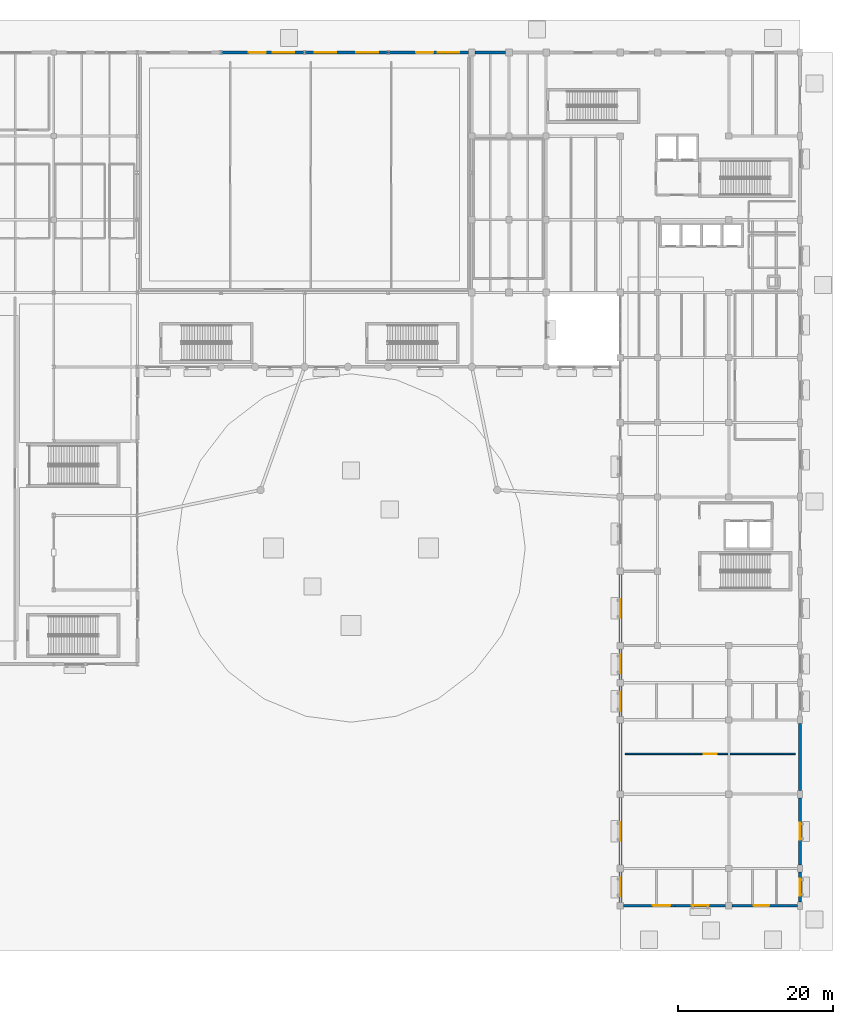
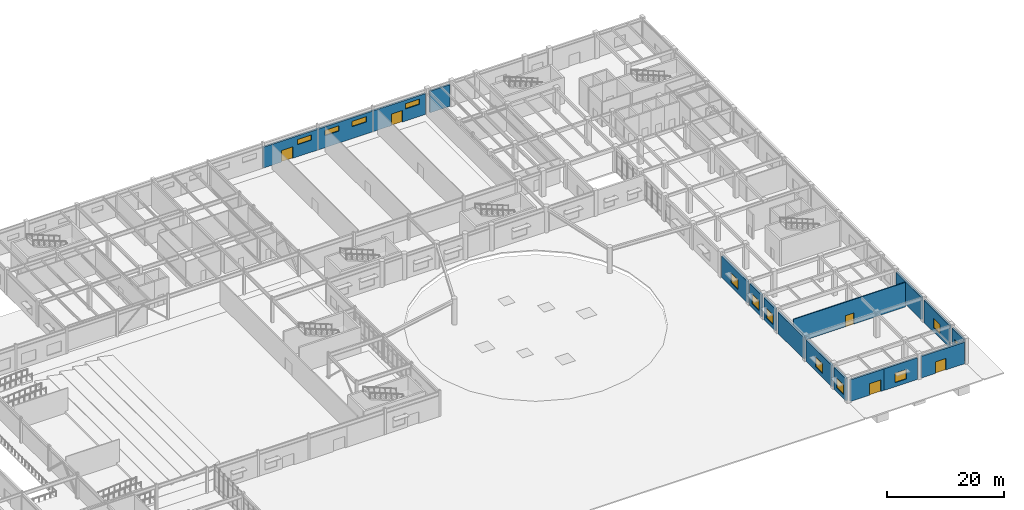
# One storey, part 33 of 54: 17 walls, 12 windows, 5 doors, 17 openings.
"""IFC4 building model written with IfcOpenShell, lengths in metres."""

import ifcopenshell
import ifcopenshell.guid

model = None  # the IFC model being written
_history = None  # IfcOwnerHistory: only IFC2X3 demands one
_inside = {}  # id of a spatial element -> (the spatial element, [elements in it])
_under = {}  # id of a project, library or spatial element -> (it, [spatial elements below it])
_declared = {}  # id of a project -> (the project, [libraries it declares])
_typed = {}  # id of a type object -> (the type object, [elements of that type])
_made_of = {}  # id of a material, layer set ... -> (it, [elements and type objects made of it])


def new_model(schema):
    """Start an empty IFC model of exactly this schema.

    Asked for "IFC4X3", IfcOpenShell would pick the latest addendum, in which some entities
    have other attributes; the version numbers below select the first issue.
    IFC2X3 requires an IfcOwnerHistory on every rooted entity: one is made here for all.
    """
    global model, _history
    if schema == "IFC4X3":
        model = ifcopenshell.file(schema_version=(4, 3, 0, 0))
    else:
        model = ifcopenshell.file(schema=schema)
    _inside.clear()
    _under.clear()
    _declared.clear()
    _typed.clear()
    _made_of.clear()
    _history = None
    if model.schema == "IFC2X3":
        org = make("IfcOrganization", Name="unknown")
        user = make(
            "IfcPersonAndOrganization",
            ThePerson=make("IfcPerson", FamilyName="unknown"),
            TheOrganization=org,
        )
        app = make(
            "IfcApplication",
            ApplicationDeveloper=org,
            Version="unknown",
            ApplicationFullName="unknown",
            ApplicationIdentifier="unknown",
        )
        _history = make(
            "IfcOwnerHistory",
            OwningUser=user,
            OwningApplication=app,
            ChangeAction="ADDED",
            CreationDate=0,
        )
    return model


def make(cls, **values):
    """One entity of the class cls with the attributes given. An attribute that is None is left unset."""
    return model.create_entity(
        cls, **{name: value for name, value in values.items() if value is not None}
    )


def rooted(cls, **values):
    """An entity with a GlobalId (a new one), such as an element, a storey or a relation."""
    return make(cls, GlobalId=ifcopenshell.guid.new(), OwnerHistory=_history, **values)


def si_unit(unit_type, name, prefix=None):
    """IfcSIUnit, for example si_unit("LENGTHUNIT", "METRE", prefix="MILLI")."""
    return make("IfcSIUnit", UnitType=unit_type, Prefix=prefix, Name=name)


def assignment(units):
    """IfcUnitAssignment: the units of a project."""
    return None if units is None else make("IfcUnitAssignment", Units=units)


def point(xyz):
    """IfcCartesianPoint."""
    return None if xyz is None else make("IfcCartesianPoint", Coordinates=xyz)


def direction(xyz):
    """IfcDirection."""
    return None if xyz is None else make("IfcDirection", DirectionRatios=xyz)


def frame(location, z_axis=None, x_axis=None):
    """IfcAxis2Placement3D, a coordinate frame: its origin and axes. An axis left out is left unset."""
    return make(
        "IfcAxis2Placement3D",
        Location=point(location),
        Axis=direction(z_axis),
        RefDirection=direction(x_axis),
    )


def frame_2d(location, x_axis=None):
    """IfcAxis2Placement2D, a coordinate frame in the plane: its origin and x axis."""
    return make(
        "IfcAxis2Placement2D", Location=point(location), RefDirection=direction(x_axis)
    )


def origin():
    """The frame at (0, 0, 0) with its axes left unset."""
    return frame((0.0, 0.0, 0.0))


def place(relative_to, where):
    """IfcLocalPlacement: puts the frame where relative to a parent placement (None: the world)."""
    return make(
        "IfcLocalPlacement", PlacementRelTo=relative_to, RelativePlacement=where
    )


def context(
    kind, dimensions, precision=None, world=None, true_north=None, identifier=None
):
    """IfcGeometricRepresentationContext, for example the 3D "Model" context."""
    return make(
        "IfcGeometricRepresentationContext",
        ContextIdentifier=identifier,
        ContextType=kind,
        CoordinateSpaceDimension=dimensions,
        Precision=precision,
        WorldCoordinateSystem=world,
        TrueNorth=true_north,
    )


def subcontext(parent, identifier, kind, view, scale=None):
    """IfcGeometricRepresentationSubContext, for example "Body" below "Model"."""
    return make(
        "IfcGeometricRepresentationSubContext",
        ContextIdentifier=identifier,
        ContextType=kind,
        ParentContext=parent,
        TargetScale=scale,
        TargetView=view,
    )


def project(units=None, contexts=None):
    """IfcProject with its units and contexts."""
    return rooted(
        "IfcProject",
        Name="project",
        RepresentationContexts=contexts,
        UnitsInContext=assignment(units),
    )


def spatial(cls, under=None, at=None, **own):
    """A site, building, storey or space (cls), placed at a placement, below another one or the project."""
    s = rooted(cls, ObjectPlacement=at, **own)
    if under is not None:
        _under.setdefault(under.id(), (under, []))[1].append(s)
    return s


def profile(cls, at=None, kind="AREA", **sizes):
    """A parametric profile (cls). Its sizes go by their IFC names, for example OverallWidth=200.0."""
    return make(cls, ProfileType=kind, Position=at, **sizes)


def rectangle(**sizes):
    """IfcRectangleProfileDef."""
    return profile("IfcRectangleProfileDef", **sizes)


def extrude(swept, where, along, depth):
    """IfcExtrudedAreaSolid: the profile swept, set in the frame where, extruded along a direction by depth."""
    return make(
        "IfcExtrudedAreaSolid",
        SweptArea=swept,
        Position=where,
        ExtrudedDirection=direction(along),
        Depth=depth,
    )


def shape(context_of_items, identifier, shape_type, items):
    """IfcShapeRepresentation: the items that make up one representation, for example the "Body"."""
    return make(
        "IfcShapeRepresentation",
        ContextOfItems=context_of_items,
        RepresentationIdentifier=identifier,
        RepresentationType=shape_type,
        Items=items,
    )


def material(Name=None, Category=None):
    """IfcMaterial."""
    return make("IfcMaterial", Name=Name, Category=Category)


def layer(
    of_material, thickness, ventilated=None, Name=None, Category=None, Priority=None
):
    """IfcMaterialLayer: one layer of a wall or slab, of a material (None: an air gap)."""
    return make(
        "IfcMaterialLayer",
        Material=of_material,
        LayerThickness=thickness,
        IsVentilated=ventilated,
        Name=Name,
        Category=Category,
        Priority=Priority,
    )


def layer_set(layers, Name=None):
    """IfcMaterialLayerSet."""
    return make("IfcMaterialLayerSet", MaterialLayers=layers, LayerSetName=Name)


def made_of(thing, what):
    """Note that an element or type object is made of a material, layer set ...; save() writes the relation."""
    if what is not None:
        _made_of.setdefault(what.id(), (what, []))[1].append(thing)
    return thing


def type_object(cls, material=None, **own):
    """A type object (cls), such as IfcWallType, which elements share."""
    return made_of(rooted(cls, **own), material)


def element(
    cls,
    number,
    at=None,
    inside=None,
    cuts=None,
    type_object=None,
    material=None,
    context=None,
    identifier="Body",
    shape_type=None,
    held_by="IfcProductDefinitionShape",
    body=None,
    shapes=None,
    **own,
):
    """One element of the class cls, such as IfcWall. Its Tag is "e" and its number.

    at: its placement. inside: the storey or other place that contains it. cuts: it is an
    opening in that element (IfcRelVoidsElement). A single representation is given by context,
    identifier, shape_type and body (its items); several are given by shapes. held_by: the class
    of the entity that holds the representations. save() writes the other relations.
    """
    e = rooted(cls, Tag="e%d" % number, ObjectPlacement=at, **own)
    if body is not None:
        shapes = [shape(context, identifier, shape_type, body)]
    if shapes is not None:
        e.Representation = make(held_by, Representations=shapes)
    if inside is not None:
        _inside.setdefault(inside.id(), (inside, []))[1].append(e)
    if cuts is not None:
        rooted(
            "IfcRelVoidsElement", RelatingBuildingElement=cuts, RelatedOpeningElement=e
        )
    if type_object is not None:
        _typed.setdefault(type_object.id(), (type_object, []))[1].append(e)
    return made_of(e, material)


def fill(opening, filler):
    """IfcRelFillsElement: the door or window that sits in an opening."""
    return rooted(
        "IfcRelFillsElement",
        RelatingOpeningElement=opening,
        RelatedBuildingElement=filler,
    )


def aggregate(whole, parts):
    """IfcRelAggregates: a whole, such as a stair, and the parts it consists of."""
    return rooted("IfcRelAggregates", RelatingObject=whole, RelatedObjects=parts)


def save(model, path):
    """Write the relations noted so far, then the file.

    IfcRelAggregates (storeys below a building ...), IfcRelContainedInSpatialStructure (elements
    in a storey), IfcRelDefinesByType, IfcRelAssociatesMaterial and IfcRelDeclares: one each for
    every whole, place, type object, material and project.
    """
    for whole, parts in _under.values():
        aggregate(whole, parts)
    for where, things in _inside.values():
        rooted(
            "IfcRelContainedInSpatialStructure",
            RelatedElements=things,
            RelatingStructure=where,
        )
    for kind, things in _typed.values():
        rooted("IfcRelDefinesByType", RelatedObjects=things, RelatingType=kind)
    for what, things in _made_of.values():
        rooted("IfcRelAssociatesMaterial", RelatedObjects=things, RelatingMaterial=what)
    for by, libraries in _declared.values():
        rooted("IfcRelDeclares", RelatingContext=by, RelatedDefinitions=libraries)
    model.write(path)


model = new_model("IFC4")

# Units and contexts
model_context = context("Model", 3, precision=1e-05, world=origin(), true_north=direction((0.0, 1.0)))
body_context = subcontext(model_context, "Body", "Model", "MODEL_VIEW")
ifc_project = project(units=[si_unit("LENGTHUNIT", "METRE"), si_unit("AREAUNIT", "SQUARE_METRE"), si_unit("VOLUMEUNIT", "CUBIC_METRE"), si_unit("PLANEANGLEUNIT", "RADIAN"), si_unit("MASSUNIT", "GRAM", prefix="KILO")], contexts=[model_context])

# Site, building, storey
site_placement = place(None, origin())
site = spatial("IfcSite", under=ifc_project, at=site_placement, CompositionType="ELEMENT")
building_placement = place(site_placement, origin())
building = spatial("IfcBuilding", under=site, at=building_placement, Name="Veldera Park Congress Hotel", CompositionType="ELEMENT")
storey_placement = place(building_placement, origin())
storey = spatial("IfcBuildingStorey", under=building, at=storey_placement, Name="L00", CompositionType="ELEMENT", Elevation=0.0)

# Wall
ifc_material_1 = material(Name="Architectural Sandstone Cladding (ASTM C616)", Category="masonry")
ifc_layer_1 = layer(ifc_material_1, 0.360107421875)
ifc_layer_set_1 = layer_set([ifc_layer_1], Name="Architectural Sandstone Cladding (ASTM C616)")
wall_type_1 = type_object("IfcWallType", Name="EW-STONE360", PredefinedType="STANDARD", material=ifc_layer_set_1)
wall_1_placement = place(storey_placement, frame((45.97705078125, 58.0, 0.0), z_axis=(0.0, 0.0, 1.0), x_axis=(-1.0, 0.0, 0.0)))
element("IfcWall", 1, at=wall_1_placement, inside=storey, type_object=wall_type_1, Name="L00 Exterior Wall EW3-L00-0025", PredefinedType="STANDARD", context=body_context, shape_type="SweptSolid", body=[
    extrude(rectangle(XDim=3.9541015625, YDim=0.360107421875, at=frame_2d((1.97705078125, 0.0))), origin(), (0.0, 0.0, 1.0), 4.5029296875),
])

# Wall, openings, door, window
wall_2_placement = place(storey_placement, frame((41.177001953125, 58.0, 0.0), z_axis=(0.0, 0.0, 1.0), x_axis=(-1.0, 0.0, 0.0)))
wall_2 = element("IfcWall", 2, at=wall_2_placement, inside=storey, type_object=wall_type_1, Name="L00 Exterior Wall EW3-L00-0026", PredefinedType="STANDARD", context=body_context, shape_type="SweptSolid", body=[
    extrude(rectangle(XDim=10.36767578125, YDim=0.360107421875, at=frame_2d((5.183837890625, 0.0))), origin(), (0.0, 0.0, 1.0), 4.3359375),
])
opening_1_placement = place(wall_2_placement, frame((4.576904296875, 0.0, 0.0)))
opening_1 = element("IfcOpeningElement", 3, at=opening_1_placement, cuts=wall_2, Name="Opening ED-EXIT220", PredefinedType="OPENING", context=body_context, shape_type="SweptSolid", body=[
    extrude(rectangle(XDim=2.199951171875, YDim=2.39990234375, at=frame_2d((1.10009765625, 1.199951171875))), frame((0.0, 0.192138671875, 0.0), z_axis=(0.0, -1.0, 0.0), x_axis=(1.0, 0.0, 0.0)), (0.0, 0.0, 1.0), 0.384033203125),
])
opening_2_placement = place(wall_2_placement, frame((1.19189453125, 0.0, 2.5)))
opening_2 = element("IfcOpeningElement", 4, at=opening_2_placement, cuts=wall_2, Name="Opening WIN-CLR", PredefinedType="OPENING", context=body_context, shape_type="SweptSolid", body=[
    extrude(rectangle(XDim=2.800048828125, YDim=1.10009765625, at=frame_2d((1.39990234375, 0.550048828125))), frame((0.0, 0.192138671875, 0.0), z_axis=(0.0, -1.0, 0.0), x_axis=(1.0, 0.0, 0.0)), (0.0, 0.0, 1.0), 0.384033203125),
])
ifc_material_2 = material(Name="Anodised Aluminium Alloy 6063-T6", Category="aluminium")
door_type_1 = type_object("IfcDoorType", Name="ED-EXIT220", OperationType="DOUBLE_DOOR_SINGLE_SWING", PredefinedType="DOOR", material=ifc_material_2)
door_1_placement = place(opening_1_placement, frame((2.199951171875, 0.0, 0.0), z_axis=(0.0, 0.0, 1.0), x_axis=(-1.0, 0.0, 0.0)))
door_1 = element("IfcDoor", 5, at=door_1_placement, inside=storey, type_object=door_type_1, Name="Exterior Door ED-10 (DR3-EXT-L00-0013)", OperationType="DOUBLE_DOOR_SINGLE_SWING", OverallHeight=2.39990234375, OverallWidth=2.199951171875, PredefinedType="DOOR", context=body_context, shape_type="SweptSolid", body=[
    extrude(rectangle(XDim=2.199951171875, YDim=2.39990234375, at=frame_2d((1.10009765625, 1.199951171875))), frame((0.0, 0.02490234375, 0.0), z_axis=(0.0, -1.0, 0.0), x_axis=(1.0, 0.0, 0.0)), (0.0, 0.0, 1.0), 0.050048828125),
])
fill(opening_1, door_1)
ifc_material_3 = material(Name="Low-E Triple Insulating Glass Unit (SHGC 0.22)", Category="glass")
window_type_1 = type_object("IfcWindowType", Name="WIN-CLR", PartitioningType="SINGLE_PANEL", PredefinedType="LIGHTDOME", material=ifc_material_3)
window_1_placement = place(opening_2_placement, origin())
window_1 = element("IfcWindow", 6, at=window_1_placement, inside=storey, type_object=window_type_1, Name="L00 Window WIN-CLR 24", OverallHeight=1.10009765625, OverallWidth=2.800048828125, PartitioningType="SINGLE_PANEL", PredefinedType="LIGHTDOME", context=body_context, shape_type="SweptSolid", body=[
    extrude(rectangle(XDim=2.800048828125, YDim=1.10009765625, at=frame_2d((1.39990234375, 0.550048828125))), frame((0.0, 0.030029296875, 0.0), z_axis=(0.0, -1.0, 0.0), x_axis=(1.0, 0.0, 0.0)), (0.0, 0.0, 1.0), 0.06005859375),
])
fill(opening_2, window_1)

# Wall, openings, windows
wall_3_placement = place(storey_placement, frame((30.790771484375, 58.0, 0.0), z_axis=(0.0, 0.0, 1.0), x_axis=(-1.0, 0.0, 0.0)))
wall_3 = element("IfcWall", 7, at=wall_3_placement, inside=storey, type_object=wall_type_1, Name="L00 Exterior Wall EW3-L00-0027", PredefinedType="STANDARD", context=body_context, shape_type="SweptSolid", body=[
    extrude(rectangle(XDim=10.781494140625, YDim=0.360107421875, at=frame_2d((5.390625, 0.0))), origin(), (0.0, 0.0, 1.0), 4.3359375),
])
opening_3_placement = place(wall_3_placement, frame((1.29541015625, 0.0, 2.5)))
opening_3 = element("IfcOpeningElement", 8, at=opening_3_placement, cuts=wall_3, Name="Opening WIN-CLR", PredefinedType="OPENING", context=body_context, shape_type="SweptSolid", body=[
    extrude(rectangle(XDim=2.800048828125, YDim=1.10009765625, at=frame_2d((1.39990234375, 0.550048828125))), frame((0.0, 0.192138671875, 0.0), z_axis=(0.0, -1.0, 0.0), x_axis=(1.0, 0.0, 0.0)), (0.0, 0.0, 1.0), 0.384033203125),
])
opening_4_placement = place(wall_3_placement, frame((6.68603515625, 0.0, 2.5)))
opening_4 = element("IfcOpeningElement", 9, at=opening_4_placement, cuts=wall_3, Name="Opening WIN-CLR", PredefinedType="OPENING", context=body_context, shape_type="SweptSolid", body=[
    extrude(rectangle(XDim=2.800048828125, YDim=1.10009765625, at=frame_2d((1.39990234375, 0.550048828125))), frame((0.0, 0.192138671875, 0.0), z_axis=(0.0, -1.0, 0.0), x_axis=(1.0, 0.0, 0.0)), (0.0, 0.0, 1.0), 0.384033203125),
])
window_2_placement = place(opening_3_placement, origin())
window_2 = element("IfcWindow", 10, at=window_2_placement, inside=storey, type_object=window_type_1, Name="L00 Window WIN-CLR 25", OverallHeight=1.10009765625, OverallWidth=2.800048828125, PartitioningType="SINGLE_PANEL", PredefinedType="LIGHTDOME", context=body_context, shape_type="SweptSolid", body=[
    extrude(rectangle(XDim=2.800048828125, YDim=1.10009765625, at=frame_2d((1.39990234375, 0.550048828125))), frame((0.0, 0.030029296875, 0.0), z_axis=(0.0, -1.0, 0.0), x_axis=(1.0, 0.0, 0.0)), (0.0, 0.0, 1.0), 0.06005859375),
])
fill(opening_3, window_2)
window_3_placement = place(opening_4_placement, origin())
window_3 = element("IfcWindow", 11, at=window_3_placement, inside=storey, type_object=window_type_1, Name="L00 Window WIN-CLR 26", OverallHeight=1.10009765625, OverallWidth=2.800048828125, PartitioningType="SINGLE_PANEL", PredefinedType="LIGHTDOME", context=body_context, shape_type="SweptSolid", body=[
    extrude(rectangle(XDim=2.800048828125, YDim=1.10009765625, at=frame_2d((1.39990234375, 0.550048828125))), frame((0.0, 0.030029296875, 0.0), z_axis=(0.0, -1.0, 0.0), x_axis=(1.0, 0.0, 0.0)), (0.0, 0.0, 1.0), 0.06005859375),
])
fill(opening_4, window_3)

# Wall, openings, door, window
wall_4_placement = place(storey_placement, frame((19.99072265625, 58.0, 0.0), z_axis=(0.0, 0.0, 1.0), x_axis=(-1.0, 0.0, 0.0)))
wall_4 = element("IfcWall", 12, at=wall_4_placement, inside=storey, type_object=wall_type_1, Name="L00 Exterior Wall EW3-L00-0028", PredefinedType="STANDARD", context=body_context, shape_type="SweptSolid", body=[
    extrude(rectangle(XDim=10.781494140625, YDim=0.360107421875, at=frame_2d((5.390625, 0.0))), origin(), (0.0, 0.0, 1.0), 4.3359375),
])
opening_5_placement = place(wall_4_placement, frame((4.99072265625, 0.0, 0.0)))
opening_5 = element("IfcOpeningElement", 13, at=opening_5_placement, cuts=wall_4, Name="Opening ED-EXIT220", PredefinedType="OPENING", context=body_context, shape_type="SweptSolid", body=[
    extrude(rectangle(XDim=2.199951171875, YDim=2.39990234375, at=frame_2d((1.10009765625, 1.199951171875))), frame((0.0, 0.192138671875, 0.0), z_axis=(0.0, -1.0, 0.0), x_axis=(1.0, 0.0, 0.0)), (0.0, 0.0, 1.0), 0.384033203125),
])
opening_6_placement = place(wall_4_placement, frame((1.29541015625, 0.0, 2.5)))
opening_6 = element("IfcOpeningElement", 14, at=opening_6_placement, cuts=wall_4, Name="Opening WIN-CLR", PredefinedType="OPENING", context=body_context, shape_type="SweptSolid", body=[
    extrude(rectangle(XDim=2.800048828125, YDim=1.10009765625, at=frame_2d((1.39990234375, 0.550048828125))), frame((0.0, 0.192138671875, 0.0), z_axis=(0.0, -1.0, 0.0), x_axis=(1.0, 0.0, 0.0)), (0.0, 0.0, 1.0), 0.384033203125),
])
door_2_placement = place(opening_5_placement, frame((2.199951171875, 0.0, 0.0), z_axis=(0.0, 0.0, 1.0), x_axis=(-1.0, 0.0, 0.0)))
door_2 = element("IfcDoor", 15, at=door_2_placement, inside=storey, type_object=door_type_1, Name="Exterior Door ED-11 (DR3-EXT-L00-0014)", OperationType="DOUBLE_DOOR_SINGLE_SWING", OverallHeight=2.39990234375, OverallWidth=2.199951171875, PredefinedType="DOOR", context=body_context, shape_type="SweptSolid", body=[
    extrude(rectangle(XDim=2.199951171875, YDim=2.39990234375, at=frame_2d((1.10009765625, 1.199951171875))), frame((0.0, 0.02490234375, 0.0), z_axis=(0.0, -1.0, 0.0), x_axis=(1.0, 0.0, 0.0)), (0.0, 0.0, 1.0), 0.050048828125),
])
fill(opening_5, door_2)
window_4_placement = place(opening_6_placement, origin())
window_4 = element("IfcWindow", 16, at=window_4_placement, inside=storey, type_object=window_type_1, Name="L00 Window WIN-CLR 27", OverallHeight=1.10009765625, OverallWidth=2.800048828125, PartitioningType="SINGLE_PANEL", PredefinedType="LIGHTDOME", context=body_context, shape_type="SweptSolid", body=[
    extrude(rectangle(XDim=2.800048828125, YDim=1.10009765625, at=frame_2d((1.39990234375, 0.550048828125))), frame((0.0, 0.030029296875, 0.0), z_axis=(0.0, -1.0, 0.0), x_axis=(1.0, 0.0, 0.0)), (0.0, 0.0, 1.0), 0.06005859375),
])
fill(opening_6, window_4)

# Wall, opening, door
wall_5_placement = place(storey_placement, frame((61.222900390625, -52.199951171875, 0.0), z_axis=(0.0, 0.0, 1.0), x_axis=(1.0, 0.0, 0.0)))
wall_5 = element("IfcWall", 17, at=wall_5_placement, inside=storey, type_object=wall_type_1, Name="L00 Exterior Wall EW3-L00-0112", PredefinedType="STANDARD", context=body_context, shape_type="SweptSolid", body=[
    extrude(rectangle(XDim=6.591552734375, YDim=0.360107421875, at=frame_2d((3.2958984375, 0.0))), origin(), (0.0, 0.0, 1.0), 4.5029296875),
])
opening_7_placement = place(wall_5_placement, frame((3.777099609375, 0.0, 0.0)))
opening_7 = element("IfcOpeningElement", 18, at=opening_7_placement, cuts=wall_5, Name="Opening ED-EXIT220", PredefinedType="OPENING", context=body_context, shape_type="SweptSolid", body=[
    extrude(rectangle(XDim=2.199951171875, YDim=2.39990234375, at=frame_2d((1.10009765625, 1.199951171875))), frame((0.0, 0.192138671875, 0.0), z_axis=(0.0, -1.0, 0.0), x_axis=(1.0, 0.0, 0.0)), (0.0, 0.0, 1.0), 0.384033203125),
])
door_3_placement = place(opening_7_placement, frame((2.199951171875, 0.0, 0.0), z_axis=(0.0, 0.0, 1.0), x_axis=(-1.0, 0.0, 0.0)))
door_3 = element("IfcDoor", 19, at=door_3_placement, inside=storey, type_object=door_type_1, Name="Exterior Door ED-16 (DR3-EXT-L00-0019)", OperationType="DOUBLE_DOOR_SINGLE_SWING", OverallHeight=2.39990234375, OverallWidth=2.199951171875, PredefinedType="DOOR", context=body_context, shape_type="SweptSolid", body=[
    extrude(rectangle(XDim=2.199951171875, YDim=2.39990234375, at=frame_2d((1.10009765625, 1.199951171875))), frame((0.0, 0.02490234375, 0.0), z_axis=(0.0, -1.0, 0.0), x_axis=(1.0, 0.0, 0.0)), (0.0, 0.0, 1.0), 0.050048828125),
])
fill(opening_7, door_3)

# Wall, opening, window
wall_6_placement = place(storey_placement, frame((67.810546875, -52.199951171875, 0.0), z_axis=(0.0, 0.0, 1.0), x_axis=(1.0, 0.0, 0.0)))
wall_6 = element("IfcWall", 20, at=wall_6_placement, inside=storey, type_object=wall_type_1, Name="L00 Exterior Wall EW3-L00-0113", PredefinedType="STANDARD", context=body_context, shape_type="SweptSolid", body=[
    extrude(rectangle(XDim=6.591552734375, YDim=0.360107421875, at=frame_2d((3.2958984375, 0.0))), origin(), (0.0, 0.0, 1.0), 4.5029296875),
])
opening_8_placement = place(wall_6_placement, frame((2.19580078125, 0.0, 0.85009765625)))
opening_8 = element("IfcOpeningElement", 21, at=opening_8_placement, cuts=wall_6, Name="Opening WIN-2200", PredefinedType="OPENING", context=body_context, shape_type="SweptSolid", body=[
    extrude(rectangle(XDim=2.199951171875, YDim=2.0, at=frame_2d((1.10009765625, 1.0))), frame((0.0, 0.192138671875, 0.0), z_axis=(0.0, -1.0, 0.0), x_axis=(1.0, 0.0, 0.0)), (0.0, 0.0, 1.0), 0.384033203125),
])
window_type_2 = type_object("IfcWindowType", Name="WIN-2200", PartitioningType="DOUBLE_PANEL_VERTICAL", PredefinedType="WINDOW", material=ifc_material_3)
window_5_placement = place(opening_8_placement, origin())
window_5 = element("IfcWindow", 22, at=window_5_placement, inside=storey, type_object=window_type_2, Name="L00 Window WIN-2200 125", OverallHeight=2.0, OverallWidth=2.199951171875, PartitioningType="DOUBLE_PANEL_VERTICAL", PredefinedType="WINDOW", context=body_context, shape_type="SweptSolid", body=[
    extrude(rectangle(XDim=2.199951171875, YDim=2.0, at=frame_2d((1.10009765625, 1.0))), frame((0.0, 0.030029296875, 0.0), z_axis=(0.0, -1.0, 0.0), x_axis=(1.0, 0.0, 0.0)), (0.0, 0.0, 1.0), 0.06005859375),
])
fill(opening_8, window_5)

# Wall, opening, door
wall_7_placement = place(storey_placement, frame((75.197998046875, -52.199951171875, 0.0), z_axis=(0.0, 0.0, 1.0), x_axis=(1.0, 0.0, 0.0)))
wall_7 = element("IfcWall", 23, at=wall_7_placement, inside=storey, type_object=wall_type_1, Name="L00 Exterior Wall EW3-L00-0114", PredefinedType="STANDARD", context=body_context, shape_type="SweptSolid", body=[
    extrude(rectangle(XDim=8.47900390625, YDim=0.360107421875, at=frame_2d((4.239501953125, 0.0))), origin(), (0.0, 0.0, 1.0), 4.5029296875),
])
opening_9_placement = place(wall_7_placement, frame((2.802001953125, 0.0, 0.0)))
opening_9 = element("IfcOpeningElement", 24, at=opening_9_placement, cuts=wall_7, Name="Opening ED-DBL200", PredefinedType="OPENING", context=body_context, shape_type="SweptSolid", body=[
    extrude(rectangle(XDim=2.0, YDim=2.39990234375, at=frame_2d((1.0, 1.199951171875))), frame((0.0, 0.192138671875, 0.0), z_axis=(0.0, -1.0, 0.0), x_axis=(1.0, 0.0, 0.0)), (0.0, 0.0, 1.0), 0.384033203125),
])
door_type_2 = type_object("IfcDoorType", Name="ED-DBL200", OperationType="DOUBLE_DOOR_SINGLE_SWING", PredefinedType="DOOR", material=ifc_material_2)
door_4_placement = place(opening_9_placement, frame((2.0, 0.0, 0.0), z_axis=(0.0, 0.0, 1.0), x_axis=(-1.0, 0.0, 0.0)))
door_4 = element("IfcDoor", 25, at=door_4_placement, inside=storey, type_object=door_type_2, Name="Exterior Door ED-17 (DR3-EXT-L00-0020)", OperationType="DOUBLE_DOOR_SINGLE_SWING", OverallHeight=2.39990234375, OverallWidth=2.0, PredefinedType="DOOR", context=body_context, shape_type="SweptSolid", body=[
    extrude(rectangle(XDim=2.0, YDim=2.39990234375, at=frame_2d((1.0, 1.199951171875))), frame((0.0, 0.02490234375, 0.0), z_axis=(0.0, -1.0, 0.0), x_axis=(1.0, 0.0, 0.0)), (0.0, 0.0, 1.0), 0.050048828125),
])
fill(opening_9, door_4)

# Wall, opening, window
wall_8_placement = place(storey_placement, frame((84.0, -51.72705078125, 0.0), z_axis=(0.0, 0.0, 1.0), x_axis=(0.0, 1.0, 0.0)))
wall_8 = element("IfcWall", 26, at=wall_8_placement, inside=storey, type_object=wall_type_1, Name="L00 Exterior Wall EW3-L00-0115", PredefinedType="STANDARD", context=body_context, shape_type="SweptSolid", body=[
    extrude(rectangle(XDim=3.85400390625, YDim=0.360107421875, at=frame_2d((1.927001953125, 0.0))), origin(), (0.0, 0.0, 1.0), 4.652099609375),
])
opening_10_placement = place(wall_8_placement, frame((0.826904296875, 0.0, 0.85009765625)))
opening_10 = element("IfcOpeningElement", 27, at=opening_10_placement, cuts=wall_8, Name="Opening WIN-2200", PredefinedType="OPENING", context=body_context, shape_type="SweptSolid", body=[
    extrude(rectangle(XDim=2.199951171875, YDim=2.0, at=frame_2d((1.10009765625, 1.0))), frame((0.0, 0.192138671875, 0.0), z_axis=(0.0, -1.0, 0.0), x_axis=(1.0, 0.0, 0.0)), (0.0, 0.0, 1.0), 0.384033203125),
])
window_6_placement = place(opening_10_placement, origin())
window_6 = element("IfcWindow", 28, at=window_6_placement, inside=storey, type_object=window_type_2, Name="L00 Window WIN-2200 126", OverallHeight=2.0, OverallWidth=2.199951171875, PartitioningType="DOUBLE_PANEL_VERTICAL", PredefinedType="WINDOW", context=body_context, shape_type="SweptSolid", body=[
    extrude(rectangle(XDim=2.199951171875, YDim=2.0, at=frame_2d((1.10009765625, 1.0))), frame((0.0, 0.030029296875, 0.0), z_axis=(0.0, -1.0, 0.0), x_axis=(1.0, 0.0, 0.0)), (0.0, 0.0, 1.0), 0.06005859375),
])
fill(opening_10, window_6)

wall_9_placement = place(storey_placement, frame((84.0, -46.927001953125, 0.0), z_axis=(0.0, 0.0, 1.0), x_axis=(0.0, 1.0, 0.0)))
wall_9 = element("IfcWall", 29, at=wall_9_placement, inside=storey, type_object=wall_type_1, Name="L00 Exterior Wall EW3-L00-0116", PredefinedType="STANDARD", context=body_context, shape_type="SweptSolid", body=[
    extrude(rectangle(XDim=8.654052734375, YDim=0.360107421875, at=frame_2d((4.3271484375, 0.0))), origin(), (0.0, 0.0, 1.0), 4.652099609375),
])
opening_11_placement = place(wall_9_placement, frame((3.22705078125, 0.0, 0.85009765625)))
opening_11 = element("IfcOpeningElement", 30, at=opening_11_placement, cuts=wall_9, Name="Opening WIN-2200", PredefinedType="OPENING", context=body_context, shape_type="SweptSolid", body=[
    extrude(rectangle(XDim=2.199951171875, YDim=2.0, at=frame_2d((1.10009765625, 1.0))), frame((0.0, 0.192138671875, 0.0), z_axis=(0.0, -1.0, 0.0), x_axis=(1.0, 0.0, 0.0)), (0.0, 0.0, 1.0), 0.384033203125),
])
window_7_placement = place(opening_11_placement, origin())
window_7 = element("IfcWindow", 31, at=window_7_placement, inside=storey, type_object=window_type_2, Name="L00 Window WIN-2200 127", OverallHeight=2.0, OverallWidth=2.199951171875, PartitioningType="DOUBLE_PANEL_VERTICAL", PredefinedType="WINDOW", context=body_context, shape_type="SweptSolid", body=[
    extrude(rectangle(XDim=2.199951171875, YDim=2.0, at=frame_2d((1.10009765625, 1.0))), frame((0.0, 0.030029296875, 0.0), z_axis=(0.0, -1.0, 0.0), x_axis=(1.0, 0.0, 0.0)), (0.0, 0.0, 1.0), 0.06005859375),
])
fill(opening_11, window_7)

# Wall
wall_10_placement = place(storey_placement, frame((84.0, -37.326904296875, 0.0), z_axis=(0.0, 0.0, 1.0), x_axis=(0.0, 1.0, 0.0)))
element("IfcWall", 32, at=wall_10_placement, inside=storey, type_object=wall_type_1, Name="L00 Exterior Wall EW3-L00-0117", PredefinedType="STANDARD", context=body_context, shape_type="SweptSolid", body=[
    extrude(rectangle(XDim=8.65380859375, YDim=0.360107421875, at=frame_2d((4.326904296875, 0.0))), origin(), (0.0, 0.0, 1.0), 4.652099609375),
])

# Wall, opening, window
wall_11_placement = place(storey_placement, frame((60.800048828125, -9.423095703125, 0.0), z_axis=(0.0, 0.0, 1.0), x_axis=(0.0, -1.0, 0.0)))
wall_11 = element("IfcWall", 33, at=wall_11_placement, inside=storey, type_object=wall_type_1, Name="L00 Exterior Wall EW3-L00-0135", PredefinedType="STANDARD", context=body_context, shape_type="SweptSolid", body=[
    extrude(rectangle(XDim=8.75390625, YDim=0.360107421875, at=frame_2d((4.376953125, 0.0))), origin(), (0.0, 0.0, 1.0), 4.47509765625),
])
opening_12_placement = place(wall_11_placement, frame((3.177001953125, 0.0, 0.85009765625)))
opening_12 = element("IfcOpeningElement", 34, at=opening_12_placement, cuts=wall_11, Name="Opening WIN-2400", PredefinedType="OPENING", context=body_context, shape_type="SweptSolid", body=[
    extrude(rectangle(XDim=2.39990234375, YDim=2.050048828125, at=frame_2d((1.199951171875, 1.02490234375))), frame((0.0, 0.192138671875, 0.0), z_axis=(0.0, -1.0, 0.0), x_axis=(1.0, 0.0, 0.0)), (0.0, 0.0, 1.0), 0.384033203125),
])
window_type_3 = type_object("IfcWindowType", Name="WIN-2400", PartitioningType="DOUBLE_PANEL_VERTICAL", PredefinedType="WINDOW", material=ifc_material_3)
window_8_placement = place(opening_12_placement, origin())
window_8 = element("IfcWindow", 35, at=window_8_placement, inside=storey, type_object=window_type_3, Name="L00 Window WIN-2400 143", OverallHeight=2.050048828125, OverallWidth=2.39990234375, PartitioningType="DOUBLE_PANEL_VERTICAL", PredefinedType="WINDOW", context=body_context, shape_type="SweptSolid", body=[
    extrude(rectangle(XDim=2.39990234375, YDim=2.050048828125, at=frame_2d((1.199951171875, 1.02490234375))), frame((0.0, 0.030029296875, 0.0), z_axis=(0.0, -1.0, 0.0), x_axis=(1.0, 0.0, 0.0)), (0.0, 0.0, 1.0), 0.06005859375),
])
fill(opening_12, window_8)

wall_12_placement = place(storey_placement, frame((60.800048828125, -19.02294921875, 0.0), z_axis=(0.0, 0.0, 1.0), x_axis=(0.0, -1.0, 0.0)))
wall_12 = element("IfcWall", 36, at=wall_12_placement, inside=storey, type_object=wall_type_1, Name="L00 Exterior Wall EW3-L00-0136", PredefinedType="STANDARD", context=body_context, shape_type="SweptSolid", body=[
    extrude(rectangle(XDim=3.9541015625, YDim=0.360107421875, at=frame_2d((1.97705078125, 0.0))), origin(), (0.0, 0.0, 1.0), 4.574951171875),
])
opening_13_placement = place(wall_12_placement, frame((0.777099609375, 0.0, 0.85009765625)))
opening_13 = element("IfcOpeningElement", 37, at=opening_13_placement, cuts=wall_12, Name="Opening WIN-2400", PredefinedType="OPENING", context=body_context, shape_type="SweptSolid", body=[
    extrude(rectangle(XDim=2.39990234375, YDim=2.050048828125, at=frame_2d((1.199951171875, 1.02490234375))), frame((0.0, 0.192138671875, 0.0), z_axis=(0.0, -1.0, 0.0), x_axis=(1.0, 0.0, 0.0)), (0.0, 0.0, 1.0), 0.384033203125),
])
window_9_placement = place(opening_13_placement, origin())
window_9 = element("IfcWindow", 38, at=window_9_placement, inside=storey, type_object=window_type_3, Name="L00 Window WIN-2400 144", OverallHeight=2.050048828125, OverallWidth=2.39990234375, PartitioningType="DOUBLE_PANEL_VERTICAL", PredefinedType="WINDOW", context=body_context, shape_type="SweptSolid", body=[
    extrude(rectangle(XDim=2.39990234375, YDim=2.050048828125, at=frame_2d((1.199951171875, 1.02490234375))), frame((0.0, 0.030029296875, 0.0), z_axis=(0.0, -1.0, 0.0), x_axis=(1.0, 0.0, 0.0)), (0.0, 0.0, 1.0), 0.06005859375),
])
fill(opening_13, window_9)

wall_13_placement = place(storey_placement, frame((60.800048828125, -23.822998046875, 0.0), z_axis=(0.0, 0.0, 1.0), x_axis=(0.0, -1.0, 0.0)))
wall_13 = element("IfcWall", 39, at=wall_13_placement, inside=storey, type_object=wall_type_1, Name="L00 Exterior Wall EW3-L00-0137", PredefinedType="STANDARD", context=body_context, shape_type="SweptSolid", body=[
    extrude(rectangle(XDim=3.9541015625, YDim=0.360107421875, at=frame_2d((1.97705078125, 0.0))), origin(), (0.0, 0.0, 1.0), 4.574951171875),
])
opening_14_placement = place(wall_13_placement, frame((0.777099609375, 0.0, 0.85009765625)))
opening_14 = element("IfcOpeningElement", 40, at=opening_14_placement, cuts=wall_13, Name="Opening WIN-2400", PredefinedType="OPENING", context=body_context, shape_type="SweptSolid", body=[
    extrude(rectangle(XDim=2.39990234375, YDim=2.050048828125, at=frame_2d((1.199951171875, 1.02490234375))), frame((0.0, 0.192138671875, 0.0), z_axis=(0.0, -1.0, 0.0), x_axis=(1.0, 0.0, 0.0)), (0.0, 0.0, 1.0), 0.384033203125),
])
window_10_placement = place(opening_14_placement, origin())
window_10 = element("IfcWindow", 41, at=window_10_placement, inside=storey, type_object=window_type_3, Name="L00 Window WIN-2400 145", OverallHeight=2.050048828125, OverallWidth=2.39990234375, PartitioningType="DOUBLE_PANEL_VERTICAL", PredefinedType="WINDOW", context=body_context, shape_type="SweptSolid", body=[
    extrude(rectangle(XDim=2.39990234375, YDim=2.050048828125, at=frame_2d((1.199951171875, 1.02490234375))), frame((0.0, 0.030029296875, 0.0), z_axis=(0.0, -1.0, 0.0), x_axis=(1.0, 0.0, 0.0)), (0.0, 0.0, 1.0), 0.06005859375),
])
fill(opening_14, window_10)

# Wall
wall_14_placement = place(storey_placement, frame((60.800048828125, -28.623046875, 0.0), z_axis=(0.0, 0.0, 1.0), x_axis=(0.0, -1.0, 0.0)))
element("IfcWall", 42, at=wall_14_placement, inside=storey, type_object=wall_type_1, Name="L00 Exterior Wall EW3-L00-0138", PredefinedType="STANDARD", context=body_context, shape_type="SweptSolid", body=[
    extrude(rectangle(XDim=8.75390625, YDim=0.360107421875, at=frame_2d((4.376953125, 0.0))), origin(), (0.0, 0.0, 1.0), 4.47509765625),
])

# Wall, opening, window
wall_15_placement = place(storey_placement, frame((60.800048828125, -38.222900390625, 0.0), z_axis=(0.0, 0.0, 1.0), x_axis=(0.0, -1.0, 0.0)))
wall_15 = element("IfcWall", 43, at=wall_15_placement, inside=storey, type_object=wall_type_1, Name="L00 Exterior Wall EW3-L00-0139", PredefinedType="STANDARD", context=body_context, shape_type="SweptSolid", body=[
    extrude(rectangle(XDim=8.754150390625, YDim=0.360107421875, at=frame_2d((4.376953125, 0.0))), origin(), (0.0, 0.0, 1.0), 4.47509765625),
])
opening_15_placement = place(wall_15_placement, frame((3.177001953125, 0.0, 0.85009765625)))
opening_15 = element("IfcOpeningElement", 44, at=opening_15_placement, cuts=wall_15, Name="Opening WIN-2400", PredefinedType="OPENING", context=body_context, shape_type="SweptSolid", body=[
    extrude(rectangle(XDim=2.39990234375, YDim=2.050048828125, at=frame_2d((1.199951171875, 1.02490234375))), frame((0.0, 0.192138671875, 0.0), z_axis=(0.0, -1.0, 0.0), x_axis=(1.0, 0.0, 0.0)), (0.0, 0.0, 1.0), 0.384033203125),
])
window_11_placement = place(opening_15_placement, origin())
window_11 = element("IfcWindow", 45, at=window_11_placement, inside=storey, type_object=window_type_3, Name="L00 Window WIN-2400 146", OverallHeight=2.050048828125, OverallWidth=2.39990234375, PartitioningType="DOUBLE_PANEL_VERTICAL", PredefinedType="WINDOW", context=body_context, shape_type="SweptSolid", body=[
    extrude(rectangle(XDim=2.39990234375, YDim=2.050048828125, at=frame_2d((1.199951171875, 1.02490234375))), frame((0.0, 0.030029296875, 0.0), z_axis=(0.0, -1.0, 0.0), x_axis=(1.0, 0.0, 0.0)), (0.0, 0.0, 1.0), 0.06005859375),
])
fill(opening_15, window_11)

wall_16_placement = place(storey_placement, frame((60.800048828125, -47.822998046875, 0.0), z_axis=(0.0, 0.0, 1.0), x_axis=(0.0, -1.0, 0.0)))
wall_16 = element("IfcWall", 46, at=wall_16_placement, inside=storey, type_object=wall_type_1, Name="L00 Exterior Wall EW3-L00-0140", PredefinedType="STANDARD", context=body_context, shape_type="SweptSolid", body=[
    extrude(rectangle(XDim=3.9541015625, YDim=0.360107421875, at=frame_2d((1.97705078125, 0.0))), origin(), (0.0, 0.0, 1.0), 4.574951171875),
])
opening_16_placement = place(wall_16_placement, frame((0.777099609375, 0.0, 0.85009765625)))
opening_16 = element("IfcOpeningElement", 47, at=opening_16_placement, cuts=wall_16, Name="Opening WIN-2400", PredefinedType="OPENING", context=body_context, shape_type="SweptSolid", body=[
    extrude(rectangle(XDim=2.39990234375, YDim=2.050048828125, at=frame_2d((1.199951171875, 1.02490234375))), frame((0.0, 0.192138671875, 0.0), z_axis=(0.0, -1.0, 0.0), x_axis=(1.0, 0.0, 0.0)), (0.0, 0.0, 1.0), 0.384033203125),
])
window_12_placement = place(opening_16_placement, origin())
window_12 = element("IfcWindow", 48, at=window_12_placement, inside=storey, type_object=window_type_3, Name="L00 Window WIN-2400 147", OverallHeight=2.050048828125, OverallWidth=2.39990234375, PartitioningType="DOUBLE_PANEL_VERTICAL", PredefinedType="WINDOW", context=body_context, shape_type="SweptSolid", body=[
    extrude(rectangle(XDim=2.39990234375, YDim=2.050048828125, at=frame_2d((1.199951171875, 1.02490234375))), frame((0.0, 0.030029296875, 0.0), z_axis=(0.0, -1.0, 0.0), x_axis=(1.0, 0.0, 0.0)), (0.0, 0.0, 1.0), 0.06005859375),
])
fill(opening_16, window_12)

# Wall, opening, door
ifc_material_4 = material(Name="Fire-Rated Gypsum Board on Cold-Formed Steel Studs", Category="steel")
ifc_layer_2 = layer(ifc_material_4, 0.195068359375)
ifc_layer_set_2 = layer_set([ifc_layer_2], Name="Fire-Rated Gypsum Board on Cold-Formed Steel Studs")
wall_type_2 = type_object("IfcWallType", Name="IW-CORR195", PredefinedType="PARTITIONING", material=ifc_layer_set_2)
wall_17_placement = place(storey_placement, frame((83.39990234375, -32.60009765625, 0.0), z_axis=(0.0, 0.0, 1.0), x_axis=(-1.0, 0.0, 0.0)))
wall_17 = element("IfcWall", 49, at=wall_17_placement, inside=storey, type_object=wall_type_2, Name="L00 Partition Wall IW3-L00-00083", PredefinedType="PARTITIONING", context=body_context, shape_type="SweptSolid", body=[
    extrude(rectangle(XDim=22.0, YDim=0.195068359375, at=frame_2d((11.0, 0.0))), origin(), (0.0, 0.0, 1.0), 5.1201171875),
])
opening_17_placement = place(wall_17_placement, frame((10.14990234375, 0.0, 0.0)))
opening_17 = element("IfcOpeningElement", 50, at=opening_17_placement, cuts=wall_17, Name="Opening ID-HALL170", PredefinedType="OPENING", context=body_context, shape_type="SweptSolid", body=[
    extrude(rectangle(XDim=1.699951171875, YDim=2.300048828125, at=frame_2d((0.85009765625, 1.14990234375))), frame((0.0, 0.109619140625, 0.0), z_axis=(0.0, -1.0, 0.0), x_axis=(1.0, 0.0, 0.0)), (0.0, 0.0, 1.0), 0.218994140625),
])
ifc_material_5 = material(Name="Solid Core White Oak Architectural Door", Category="wood")
door_type_3 = type_object("IfcDoorType", Name="ID-HALL170", OperationType="DOUBLE_DOOR_SINGLE_SWING", PredefinedType="DOOR", material=ifc_material_5)
door_5_placement = place(opening_17_placement, origin())
door_5 = element("IfcDoor", 51, at=door_5_placement, inside=storey, type_object=door_type_3, Name="L00 Agave Garden Bar and Pastry Cafe Door ID3-L00-0029 (DR3-ID3-L00-0029)", OperationType="DOUBLE_DOOR_SINGLE_SWING", OverallHeight=2.300048828125, OverallWidth=1.699951171875, PredefinedType="DOOR", context=body_context, shape_type="SweptSolid", body=[
    extrude(rectangle(XDim=1.699951171875, YDim=2.300048828125, at=frame_2d((0.85009765625, 1.14990234375))), frame((0.0, 0.02490234375, 0.0), z_axis=(0.0, -1.0, 0.0), x_axis=(1.0, 0.0, 0.0)), (0.0, 0.0, 1.0), 0.050048828125),
])
fill(opening_17, door_5)

save(model, "model.ifc")
